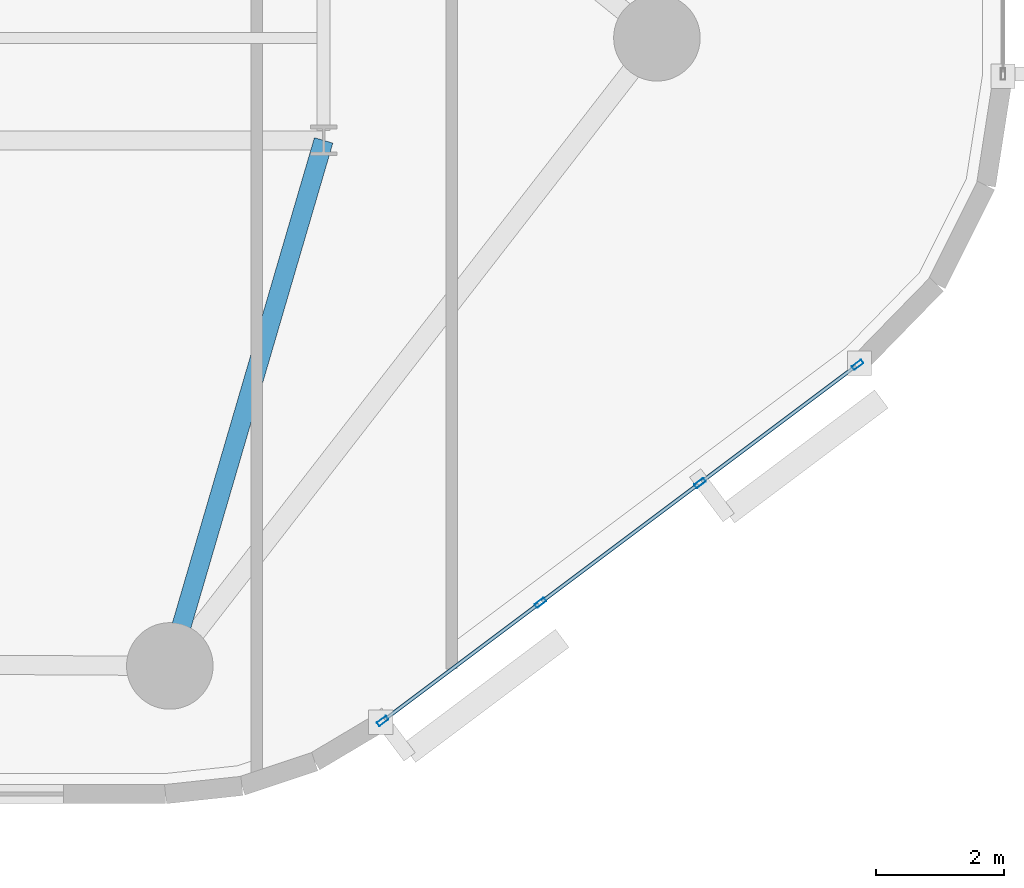
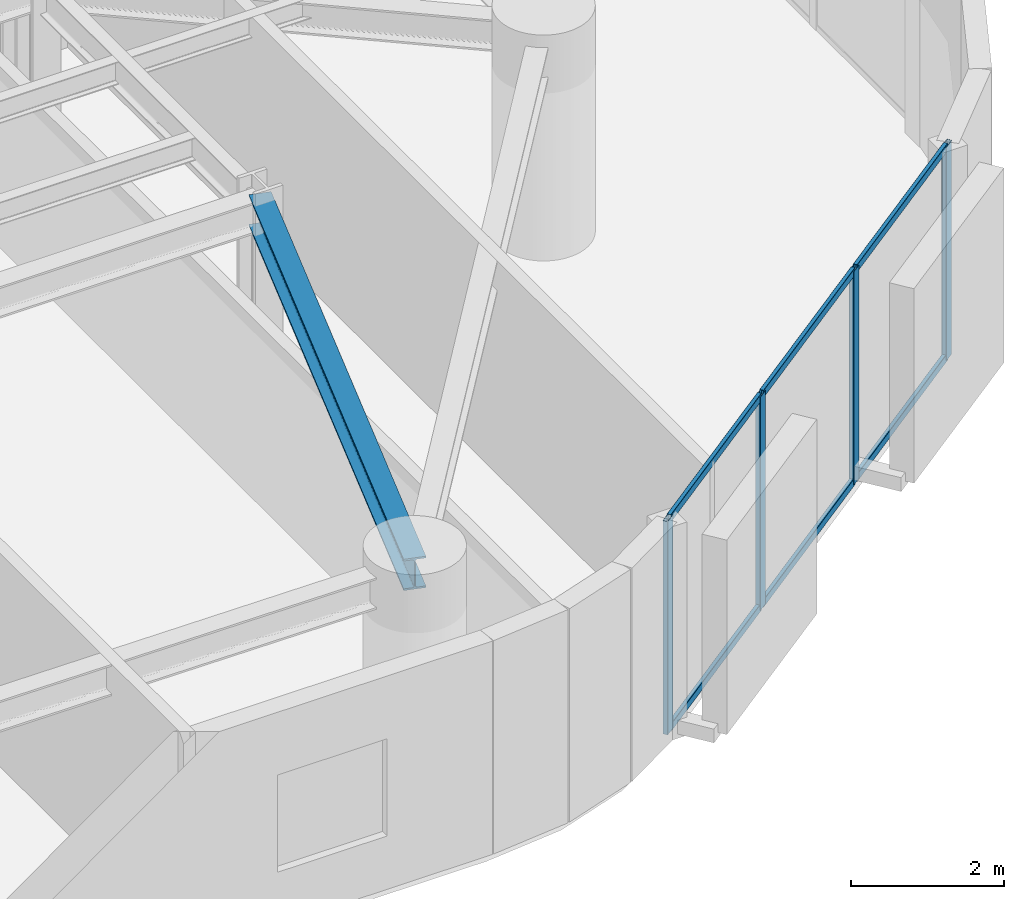
# One storey, part 2 of 16: 10 members, 1 beam, 1 element without a shape of its own.
"""IFC4 building model written with IfcOpenShell, lengths in metres."""

import ifcopenshell
import ifcopenshell.guid

model = None  # the IFC model being written
_history = None  # IfcOwnerHistory: only IFC2X3 demands one
_inside = {}  # id of a spatial element -> (the spatial element, [elements in it])
_under = {}  # id of a project, library or spatial element -> (it, [spatial elements below it])
_declared = {}  # id of a project -> (the project, [libraries it declares])
_typed = {}  # id of a type object -> (the type object, [elements of that type])
_made_of = {}  # id of a material, layer set ... -> (it, [elements and type objects made of it])


def new_model(schema):
    """Start an empty IFC model of exactly this schema.

    Asked for "IFC4X3", IfcOpenShell would pick the latest addendum, in which some entities
    have other attributes; the version numbers below select the first issue.
    IFC2X3 requires an IfcOwnerHistory on every rooted entity: one is made here for all.
    """
    global model, _history
    if schema == "IFC4X3":
        model = ifcopenshell.file(schema_version=(4, 3, 0, 0))
    else:
        model = ifcopenshell.file(schema=schema)
    _inside.clear()
    _under.clear()
    _declared.clear()
    _typed.clear()
    _made_of.clear()
    _history = None
    if model.schema == "IFC2X3":
        org = make("IfcOrganization", Name="unknown")
        user = make(
            "IfcPersonAndOrganization",
            ThePerson=make("IfcPerson", FamilyName="unknown"),
            TheOrganization=org,
        )
        app = make(
            "IfcApplication",
            ApplicationDeveloper=org,
            Version="unknown",
            ApplicationFullName="unknown",
            ApplicationIdentifier="unknown",
        )
        _history = make(
            "IfcOwnerHistory",
            OwningUser=user,
            OwningApplication=app,
            ChangeAction="ADDED",
            CreationDate=0,
        )
    return model


def make(cls, **values):
    """One entity of the class cls with the attributes given. An attribute that is None is left unset."""
    return model.create_entity(
        cls, **{name: value for name, value in values.items() if value is not None}
    )


def rooted(cls, **values):
    """An entity with a GlobalId (a new one), such as an element, a storey or a relation."""
    return make(cls, GlobalId=ifcopenshell.guid.new(), OwnerHistory=_history, **values)


def si_unit(unit_type, name, prefix=None):
    """IfcSIUnit, for example si_unit("LENGTHUNIT", "METRE", prefix="MILLI")."""
    return make("IfcSIUnit", UnitType=unit_type, Prefix=prefix, Name=name)


def assignment(units):
    """IfcUnitAssignment: the units of a project."""
    return None if units is None else make("IfcUnitAssignment", Units=units)


def point(xyz):
    """IfcCartesianPoint."""
    return None if xyz is None else make("IfcCartesianPoint", Coordinates=xyz)


def direction(xyz):
    """IfcDirection."""
    return None if xyz is None else make("IfcDirection", DirectionRatios=xyz)


def frame(location, z_axis=None, x_axis=None):
    """IfcAxis2Placement3D, a coordinate frame: its origin and axes. An axis left out is left unset."""
    return make(
        "IfcAxis2Placement3D",
        Location=point(location),
        Axis=direction(z_axis),
        RefDirection=direction(x_axis),
    )


def frame_2d(location, x_axis=None):
    """IfcAxis2Placement2D, a coordinate frame in the plane: its origin and x axis."""
    return make(
        "IfcAxis2Placement2D", Location=point(location), RefDirection=direction(x_axis)
    )


def origin():
    """The frame at (0, 0, 0) with its axes left unset."""
    return frame((0.0, 0.0, 0.0))


def origin_2d():
    """The frame at (0, 0) in the plane with its x axis left unset."""
    return frame_2d((0.0, 0.0))


def place(relative_to, where):
    """IfcLocalPlacement: puts the frame where relative to a parent placement (None: the world)."""
    return make(
        "IfcLocalPlacement", PlacementRelTo=relative_to, RelativePlacement=where
    )


def context(
    kind, dimensions, precision=None, world=None, true_north=None, identifier=None
):
    """IfcGeometricRepresentationContext, for example the 3D "Model" context."""
    return make(
        "IfcGeometricRepresentationContext",
        ContextIdentifier=identifier,
        ContextType=kind,
        CoordinateSpaceDimension=dimensions,
        Precision=precision,
        WorldCoordinateSystem=world,
        TrueNorth=true_north,
    )


def subcontext(parent, identifier, kind, view, scale=None):
    """IfcGeometricRepresentationSubContext, for example "Body" below "Model"."""
    return make(
        "IfcGeometricRepresentationSubContext",
        ContextIdentifier=identifier,
        ContextType=kind,
        ParentContext=parent,
        TargetScale=scale,
        TargetView=view,
    )


def project(units=None, contexts=None):
    """IfcProject with its units and contexts."""
    return rooted(
        "IfcProject",
        Name="project",
        RepresentationContexts=contexts,
        UnitsInContext=assignment(units),
    )


def spatial(cls, under=None, at=None, **own):
    """A site, building, storey or space (cls), placed at a placement, below another one or the project."""
    s = rooted(cls, ObjectPlacement=at, **own)
    if under is not None:
        _under.setdefault(under.id(), (under, []))[1].append(s)
    return s


def profile(cls, at=None, kind="AREA", **sizes):
    """A parametric profile (cls). Its sizes go by their IFC names, for example OverallWidth=200.0."""
    return make(cls, ProfileType=kind, Position=at, **sizes)


def hollow_rectangle(**sizes):
    """IfcRectangleHollowProfileDef."""
    return profile("IfcRectangleHollowProfileDef", **sizes)


def i_section(**sizes):
    """IfcIShapeProfileDef."""
    return profile("IfcIShapeProfileDef", **sizes)


def extrude(swept, where, along, depth):
    """IfcExtrudedAreaSolid: the profile swept, set in the frame where, extruded along a direction by depth."""
    return make(
        "IfcExtrudedAreaSolid",
        SweptArea=swept,
        Position=where,
        ExtrudedDirection=direction(along),
        Depth=depth,
    )


def shape(context_of_items, identifier, shape_type, items):
    """IfcShapeRepresentation: the items that make up one representation, for example the "Body"."""
    return make(
        "IfcShapeRepresentation",
        ContextOfItems=context_of_items,
        RepresentationIdentifier=identifier,
        RepresentationType=shape_type,
        Items=items,
    )


def material(Name=None, Category=None):
    """IfcMaterial."""
    return make("IfcMaterial", Name=Name, Category=Category)


def layer(
    of_material, thickness, ventilated=None, Name=None, Category=None, Priority=None
):
    """IfcMaterialLayer: one layer of a wall or slab, of a material (None: an air gap)."""
    return make(
        "IfcMaterialLayer",
        Material=of_material,
        LayerThickness=thickness,
        IsVentilated=ventilated,
        Name=Name,
        Category=Category,
        Priority=Priority,
    )


def layer_set(layers, Name=None):
    """IfcMaterialLayerSet."""
    return make("IfcMaterialLayerSet", MaterialLayers=layers, LayerSetName=Name)


def material_profile(
    of_material, cross_section, Name=None, Category=None, Priority=None
):
    """IfcMaterialProfile: a cross section and its material."""
    return make(
        "IfcMaterialProfile",
        Name=Name,
        Material=of_material,
        Profile=cross_section,
        Priority=Priority,
        Category=Category,
    )


def profile_set(profiles, Name=None, composite=None):
    """IfcMaterialProfileSet."""
    return make(
        "IfcMaterialProfileSet",
        Name=Name,
        MaterialProfiles=profiles,
        CompositeProfile=composite,
    )


def made_of(thing, what):
    """Note that an element or type object is made of a material, layer set ...; save() writes the relation."""
    if what is not None:
        _made_of.setdefault(what.id(), (what, []))[1].append(thing)
    return thing


def type_object(cls, material=None, **own):
    """A type object (cls), such as IfcWallType, which elements share."""
    return made_of(rooted(cls, **own), material)


def element(
    cls,
    number,
    at=None,
    inside=None,
    cuts=None,
    type_object=None,
    material=None,
    context=None,
    identifier="Body",
    shape_type=None,
    held_by="IfcProductDefinitionShape",
    body=None,
    shapes=None,
    **own,
):
    """One element of the class cls, such as IfcWall. Its Tag is "e" and its number.

    at: its placement. inside: the storey or other place that contains it. cuts: it is an
    opening in that element (IfcRelVoidsElement). A single representation is given by context,
    identifier, shape_type and body (its items); several are given by shapes. held_by: the class
    of the entity that holds the representations. save() writes the other relations.
    """
    e = rooted(cls, Tag="e%d" % number, ObjectPlacement=at, **own)
    if body is not None:
        shapes = [shape(context, identifier, shape_type, body)]
    if shapes is not None:
        e.Representation = make(held_by, Representations=shapes)
    if inside is not None:
        _inside.setdefault(inside.id(), (inside, []))[1].append(e)
    if cuts is not None:
        rooted(
            "IfcRelVoidsElement", RelatingBuildingElement=cuts, RelatedOpeningElement=e
        )
    if type_object is not None:
        _typed.setdefault(type_object.id(), (type_object, []))[1].append(e)
    return made_of(e, material)


def aggregate(whole, parts):
    """IfcRelAggregates: a whole, such as a stair, and the parts it consists of."""
    return rooted("IfcRelAggregates", RelatingObject=whole, RelatedObjects=parts)


def save(model, path):
    """Write the relations noted so far, then the file.

    IfcRelAggregates (storeys below a building ...), IfcRelContainedInSpatialStructure (elements
    in a storey), IfcRelDefinesByType, IfcRelAssociatesMaterial and IfcRelDeclares: one each for
    every whole, place, type object, material and project.
    """
    for whole, parts in _under.values():
        aggregate(whole, parts)
    for where, things in _inside.values():
        rooted(
            "IfcRelContainedInSpatialStructure",
            RelatedElements=things,
            RelatingStructure=where,
        )
    for kind, things in _typed.values():
        rooted("IfcRelDefinesByType", RelatedObjects=things, RelatingType=kind)
    for what, things in _made_of.values():
        rooted("IfcRelAssociatesMaterial", RelatedObjects=things, RelatingMaterial=what)
    for by, libraries in _declared.values():
        rooted("IfcRelDeclares", RelatingContext=by, RelatedDefinitions=libraries)
    model.write(path)


model = new_model("IFC4")

# Units and contexts
model_context = context("Model", 3, precision=1e-05, world=origin(), true_north=direction((0.0, 1.0)))
body_context = subcontext(model_context, "Body", "Model", "MODEL_VIEW")
ifc_project = project(units=[si_unit("LENGTHUNIT", "METRE"), si_unit("AREAUNIT", "SQUARE_METRE"), si_unit("VOLUMEUNIT", "CUBIC_METRE"), si_unit("PLANEANGLEUNIT", "RADIAN"), si_unit("MASSUNIT", "GRAM", prefix="KILO")], contexts=[model_context])

# Site, building, storey
site_placement = place(None, origin())
site = spatial("IfcSite", under=ifc_project, at=site_placement, CompositionType="ELEMENT")
building_placement = place(site_placement, origin())
building = spatial("IfcBuilding", under=site, at=building_placement, Name="An Khanh Terracotta Commons", CompositionType="ELEMENT")
storey_placement = place(building_placement, frame((0.0, 0.0, 118.699951171875)))
storey = spatial("IfcBuildingStorey", under=building, at=storey_placement, Name="L31", CompositionType="ELEMENT", Elevation=118.699951171875)

# Beam
ifc_material_1 = material(Name="Steel S355J2", Category="steel")
ifc_material_profile_1 = material_profile(ifc_material_1, i_section(OverallWidth=0.300048828125, OverallDepth=0.5, WebThickness=0.014404296875, FlangeThickness=0.028076171875, FilletRadius=0.027099609375, at=origin_2d()), Name="HEB500")
ifc_profile_set_1 = profile_set([ifc_material_profile_1], Name="Steel S355J2")
beam_type = type_object("IfcBeamType", Name="BM-HEB500", PredefinedType="BEAM", material=ifc_profile_set_1)
beam_placement = place(storey_placement, frame((44.39990234375, 6.199951171875, 3.150146484375), z_axis=(0.280916085823, 0.959732333896, 0.0), x_axis=(-0.959732333896, 0.280916085823, 0.0)))
element("IfcBeam", 1, at=beam_placement, inside=storey, type_object=beam_type, Name="L31 Mega-Column Tie Girder 2", PredefinedType="BEAM", context=body_context, shape_type="SweptSolid", body=[
    extrude(i_section(OverallWidth=0.300048828125, OverallDepth=0.5, WebThickness=0.014404296875, FlangeThickness=0.028076171875, FilletRadius=0.027099609375, at=origin_2d()), origin(), (0.0, 0.0, 1.0), 8.5439453125),
])

# Curtain wall, members
ifc_material_2 = material(Name="Anodised Aluminium 6063-T6", Category="aluminium")
ifc_layer = layer(ifc_material_2, 0.199951171875, Name="Anodised Aluminium 6063-T6")
ifc_layer_set = layer_set([ifc_layer], Name="Anodised Aluminium 6063-T6")
curtain_wall_type = type_object("IfcCurtainWallType", Name="CW-SYS-02", PredefinedType="USERDEFINED", material=ifc_layer_set)
curtain_wall_placement = place(storey_placement, origin())
curtain_wall = element("IfcCurtainWall", 2, at=curtain_wall_placement, inside=storey, type_object=curtain_wall_type, Name="L31 CW-02 Unitised Curtain Wall CW-L31-08", ObjectType="UNITISED CURTAIN WALL", PredefinedType="USERDEFINED")
ifc_material_profile_2 = material_profile(ifc_material_2, hollow_rectangle(XDim=0.070068359375, YDim=0.179931640625, WallThickness=0.00390625, InnerFilletRadius=0.00390625, OuterFilletRadius=0.008056640625, at=origin_2d()), Name="RHS180x70x4")
ifc_profile_set_2 = profile_set([ifc_material_profile_2], Name="Anodised Aluminium 6063-T6")
member_type_1 = type_object("IfcMemberType", Name="CWM-RHS180x70x4", PredefinedType="MULLION", material=ifc_profile_set_2)
member_1_placement = place(storey_placement, frame((47.720947265625, 5.341064453125, 0.0), z_axis=(0.0, 0.0, 1.0), x_axis=(-0.599982857492, 0.800012856594, 0.0)))
member_1 = element("IfcMember", 3, at=member_1_placement, type_object=member_type_1, Name="CW-02 mullion 1", PredefinedType="MULLION", context=body_context, shape_type="SweptSolid", body=[
    extrude(hollow_rectangle(XDim=0.070068359375, YDim=0.179931640625, WallThickness=0.00390625, InnerFilletRadius=0.00390625, OuterFilletRadius=0.008056640625, at=origin_2d()), origin(), (0.0, 0.0, 1.0), 3.400146484375),
])
member_2_placement = place(storey_placement, frame((50.181884765625, 7.186767578125, 0.0), z_axis=(0.0, 0.0, 1.0), x_axis=(-0.599982857492, 0.800012856594, 0.0)))
member_2 = element("IfcMember", 4, at=member_2_placement, type_object=member_type_1, Name="CW-02 mullion 2", PredefinedType="MULLION", context=body_context, shape_type="SweptSolid", body=[
    extrude(hollow_rectangle(XDim=0.070068359375, YDim=0.179931640625, WallThickness=0.00390625, InnerFilletRadius=0.00390625, OuterFilletRadius=0.008056640625, at=origin_2d()), origin(), (0.0, 0.0, 1.0), 3.400146484375),
])
member_3_placement = place(storey_placement, frame((52.6708984375, 9.05322265625, 0.0), z_axis=(0.0, 0.0, 1.0), x_axis=(-0.599982857492, 0.800012856594, 0.0)))
member_3 = element("IfcMember", 5, at=member_3_placement, type_object=member_type_1, Name="CW-02 mullion 3", PredefinedType="MULLION", context=body_context, shape_type="SweptSolid", body=[
    extrude(hollow_rectangle(XDim=0.070068359375, YDim=0.179931640625, WallThickness=0.00390625, InnerFilletRadius=0.00390625, OuterFilletRadius=0.008056640625, at=origin_2d()), origin(), (0.0, 0.0, 1.0), 3.400146484375),
])
member_4_placement = place(storey_placement, frame((55.132080078125, 10.89892578125, 0.0), z_axis=(0.0, 0.0, 1.0), x_axis=(-0.599982857492, 0.800012856594, 0.0)))
member_4 = element("IfcMember", 6, at=member_4_placement, type_object=member_type_1, Name="CW-02 mullion 4", PredefinedType="MULLION", context=body_context, shape_type="SweptSolid", body=[
    extrude(hollow_rectangle(XDim=0.070068359375, YDim=0.179931640625, WallThickness=0.00390625, InnerFilletRadius=0.00390625, OuterFilletRadius=0.008056640625, at=origin_2d()), origin(), (0.0, 0.0, 1.0), 3.400146484375),
])
ifc_material_profile_3 = material_profile(ifc_material_2, hollow_rectangle(XDim=0.06005859375, YDim=0.1201171875, WallThickness=0.003662109375, InnerFilletRadius=0.003662109375, OuterFilletRadius=0.007080078125, at=origin_2d()), Name="RHS120x60x3.6")
ifc_profile_set_3 = profile_set([ifc_material_profile_3], Name="Anodised Aluminium 6063-T6")
member_type_2 = type_object("IfcMemberType", Name="CWT-RHS120x60x3.6", PredefinedType="USERDEFINED", material=ifc_profile_set_3)
member_5_placement = place(storey_placement, frame((47.7490234375, 5.362060546875, 0.030029296875), z_axis=(0.800009745217, 0.599987006158, 0.0), x_axis=(-0.599987006158, 0.800009745217, 0.0)))
member_5 = element("IfcMember", 7, at=member_5_placement, type_object=member_type_2, Name="CW-02 transom 1.1", ObjectType="TRANSOM", PredefinedType="USERDEFINED", context=body_context, shape_type="SweptSolid", body=[
    extrude(hollow_rectangle(XDim=0.06005859375, YDim=0.1201171875, WallThickness=0.003662109375, InnerFilletRadius=0.003662109375, OuterFilletRadius=0.007080078125, at=origin_2d()), origin(), (0.0, 0.0, 1.0), 3.00634765625),
])
member_6_placement = place(storey_placement, frame((47.7490234375, 5.362060546875, 3.3701171875), z_axis=(0.800009745217, 0.599987006158, 0.0), x_axis=(-0.599987006158, 0.800009745217, 0.0)))
member_6 = element("IfcMember", 8, at=member_6_placement, type_object=member_type_2, Name="CW-02 transom 1.2", ObjectType="TRANSOM", PredefinedType="USERDEFINED", context=body_context, shape_type="SweptSolid", body=[
    extrude(hollow_rectangle(XDim=0.06005859375, YDim=0.1201171875, WallThickness=0.003662109375, InnerFilletRadius=0.003662109375, OuterFilletRadius=0.007080078125, at=origin_2d()), origin(), (0.0, 0.0, 1.0), 3.00634765625),
])
member_7_placement = place(storey_placement, frame((50.2099609375, 7.207763671875, 0.030029296875), z_axis=(0.800057796972, 0.599922929638, 0.0), x_axis=(-0.599922929638, 0.800057796972, 0.0)))
member_7 = element("IfcMember", 9, at=member_7_placement, type_object=member_type_2, Name="CW-02 transom 2.1", ObjectType="TRANSOM", PredefinedType="USERDEFINED", context=body_context, shape_type="SweptSolid", body=[
    extrude(hollow_rectangle(XDim=0.06005859375, YDim=0.1201171875, WallThickness=0.003662109375, InnerFilletRadius=0.003662109375, OuterFilletRadius=0.007080078125, at=origin_2d()), origin(), (0.0, 0.0, 1.0), 3.041259765625),
])
member_8_placement = place(storey_placement, frame((50.2099609375, 7.207763671875, 3.3701171875), z_axis=(0.800057796972, 0.599922929638, 0.0), x_axis=(-0.599922929638, 0.800057796972, 0.0)))
member_8 = element("IfcMember", 10, at=member_8_placement, type_object=member_type_2, Name="CW-02 transom 2.2", ObjectType="TRANSOM", PredefinedType="USERDEFINED", context=body_context, shape_type="SweptSolid", body=[
    extrude(hollow_rectangle(XDim=0.06005859375, YDim=0.1201171875, WallThickness=0.003662109375, InnerFilletRadius=0.003662109375, OuterFilletRadius=0.007080078125, at=origin_2d()), origin(), (0.0, 0.0, 1.0), 3.041259765625),
])
member_9_placement = place(storey_placement, frame((52.698974609375, 9.07421875, 0.030029296875), z_axis=(0.800009745217, 0.599987006158, 0.0), x_axis=(-0.599987006158, 0.800009745217, 0.0)))
member_9 = element("IfcMember", 11, at=member_9_placement, type_object=member_type_2, Name="CW-02 transom 3.1", ObjectType="TRANSOM", PredefinedType="USERDEFINED", context=body_context, shape_type="SweptSolid", body=[
    extrude(hollow_rectangle(XDim=0.06005859375, YDim=0.1201171875, WallThickness=0.003662109375, InnerFilletRadius=0.003662109375, OuterFilletRadius=0.007080078125, at=origin_2d()), origin(), (0.0, 0.0, 1.0), 3.00634765625),
])
member_10_placement = place(storey_placement, frame((52.698974609375, 9.07421875, 3.3701171875), z_axis=(0.800009745217, 0.599987006158, 0.0), x_axis=(-0.599987006158, 0.800009745217, 0.0)))
member_10 = element("IfcMember", 12, at=member_10_placement, type_object=member_type_2, Name="CW-02 transom 3.2", ObjectType="TRANSOM", PredefinedType="USERDEFINED", context=body_context, shape_type="SweptSolid", body=[
    extrude(hollow_rectangle(XDim=0.06005859375, YDim=0.1201171875, WallThickness=0.003662109375, InnerFilletRadius=0.003662109375, OuterFilletRadius=0.007080078125, at=origin_2d()), origin(), (0.0, 0.0, 1.0), 3.00634765625),
])
aggregate(curtain_wall, [member_1, member_2, member_3, member_4, member_5, member_6, member_7, member_8, member_9, member_10])

save(model, "model.ifc")
